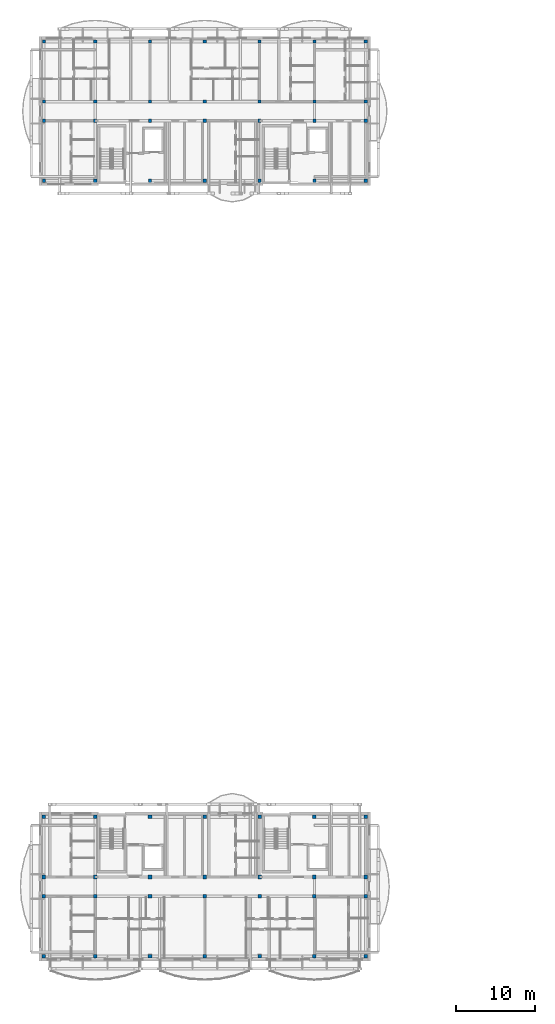
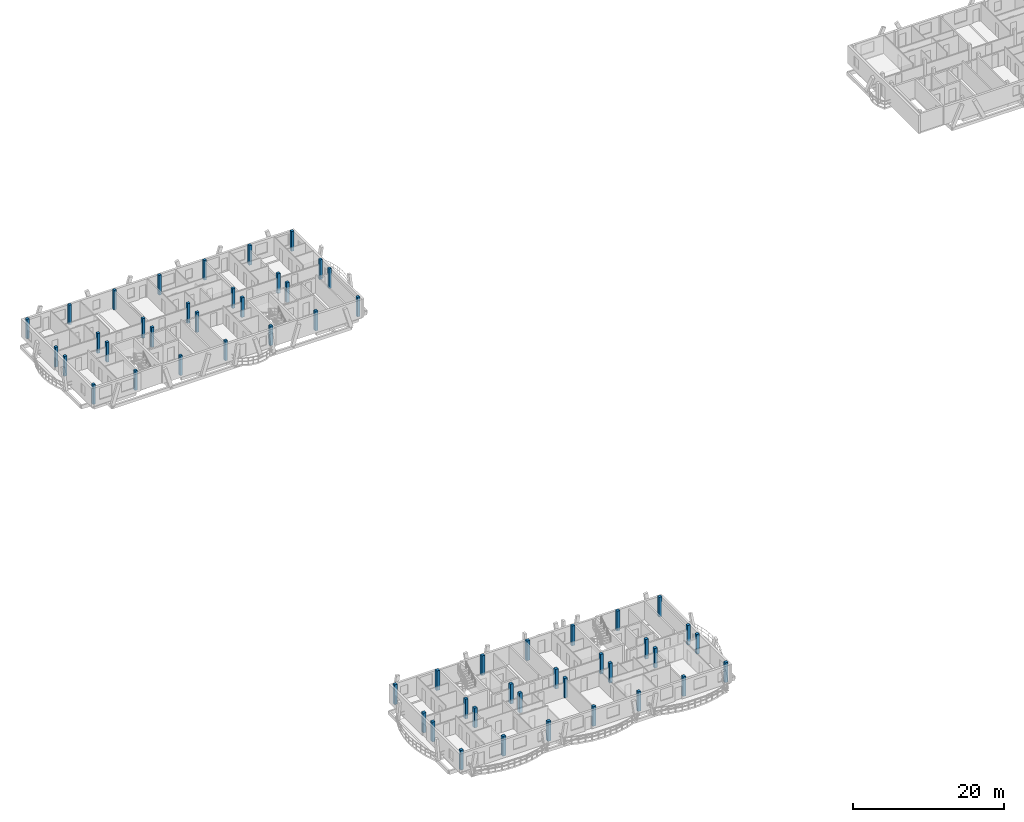
# One storey, part 1 of 29: 56 columns.
"""IFC4 building model written with IfcOpenShell, lengths in metres."""

from ifc_helpers import new_model, si_unit, direction, frame, origin, origin_2d, place, context, subcontext, project, spatial, rectangle, extrude, material, material_profile, profile_set, type_object, element, save


model = new_model("IFC4")

# Units and contexts
model_context = context("Model", 3, precision=1e-05, world=origin(), true_north=direction((0.0, 1.0)))
body_context = subcontext(model_context, "Body", "Model", "MODEL_VIEW")
ifc_project = project(units=[si_unit("LENGTHUNIT", "METRE"), si_unit("AREAUNIT", "SQUARE_METRE"), si_unit("VOLUMEUNIT", "CUBIC_METRE"), si_unit("PLANEANGLEUNIT", "RADIAN"), si_unit("MASSUNIT", "GRAM", prefix="KILO")], contexts=[model_context])

# Site, building, storey
site_placement = place(None, origin())
site = spatial("IfcSite", under=ifc_project, at=site_placement, CompositionType="ELEMENT")
building_placement = place(site_placement, origin())
building = spatial("IfcBuilding", under=site, at=building_placement, Name="Zavelmont Quarter", CompositionType="ELEMENT")
storey_placement = place(building_placement, frame((0.0, 0.0, 33.60009765625)))
storey = spatial("IfcBuildingStorey", under=building, at=storey_placement, Name="L10", CompositionType="ELEMENT", Elevation=33.60009765625)

# Columns
ifc_material = material(Name="Concrete C35/45", Category="concrete")
ifc_material_profile_1 = material_profile(ifc_material, rectangle(XDim=0.449951171875, YDim=0.449951171875, at=origin_2d()), Name="RC450X450")
ifc_profile_set_1 = profile_set([ifc_material_profile_1], Name="Concrete C35/45")
column_type_1 = type_object("IfcColumnType", Name="CL04", PredefinedType="COLUMN", material=ifc_profile_set_1)
for number, where, z_axis, x_axis, name in (
    (1, (0.43994140625, 0.43994140625, 0.0), (0.0, 0.0, 1.0), (1.0, 0.0, 0.0), "L10 column CL04 at 1/A"),
    (2, (0.43994140625, 8.0, 0.0), (0.0, 0.0, 1.0), (1.0, 0.0, 0.0), "L10 column CL04 at 1/B"),
    (3, (0.43994140625, 10.39990234375, 0.0), (0.0, 0.0, 1.0), (1.0, 0.0, 0.0), "L10 column CL04 at 1/C"),
    (4, (0.43994140625, 17.9599609375, 0.0), (0.0, 0.0, 1.0), (1.0, 0.0, 0.0), "L10 column CL04 at 1/D"),
    (5, (6.89990234375, 0.43994140625, 0.0), (0.0, 0.0, 1.0), (1.0, 0.0, 0.0), "L10 column CL04 at 2/A"),
    (6, (6.89990234375, 8.0, 0.0), (0.0, 0.0, 1.0), (1.0, 0.0, 0.0), "L10 column CL04 at 2/B"),
    (7, (6.89990234375, 10.39990234375, 0.0), (0.0, 0.0, 1.0), (1.0, 0.0, 0.0), "L10 column CL04 at 2/C"),
    (8, (6.89990234375, 17.9599609375, 0.0), (0.0, 0.0, 1.0), (1.0, 0.0, 0.0), "L10 column CL04 at 2/D"),
    (9, (13.800048828125, 0.43994140625, 0.0), (0.0, 0.0, 1.0), (1.0, 0.0, 0.0), "L10 column CL04 at 3/A"),
    (10, (13.800048828125, 8.0, 0.0), (0.0, 0.0, 1.0), (1.0, 0.0, 0.0), "L10 column CL04 at 3/B"),
    (11, (13.800048828125, 10.39990234375, 0.0), (0.0, 0.0, 1.0), (1.0, 0.0, 0.0), "L10 column CL04 at 3/C"),
    (12, (13.800048828125, 17.9599609375, 0.0), (0.0, 0.0, 1.0), (1.0, 0.0, 0.0), "L10 column CL04 at 3/D"),
    (13, (20.699951171875, 0.43994140625, 0.0), (0.0, 0.0, 1.0), (1.0, 0.0, 0.0), "L10 column CL04 at 4/A"),
    (14, (20.699951171875, 8.0, 0.0), (0.0, 0.0, 1.0), (1.0, 0.0, 0.0), "L10 column CL04 at 4/B"),
    (15, (20.699951171875, 10.39990234375, 0.0), (0.0, 0.0, 1.0), (1.0, 0.0, 0.0), "L10 column CL04 at 4/C"),
    (16, (20.699951171875, 17.9599609375, 0.0), (0.0, 0.0, 1.0), (1.0, 0.0, 0.0), "L10 column CL04 at 4/D"),
    (17, (27.60009765625, 0.43994140625, 0.0), (0.0, 0.0, 1.0), (1.0, 0.0, 0.0), "L10 column CL04 at 5/A"),
    (18, (27.60009765625, 8.0, 0.0), (0.0, 0.0, 1.0), (1.0, 0.0, 0.0), "L10 column CL04 at 5/B"),
    (19, (27.60009765625, 10.39990234375, 0.0), (0.0, 0.0, 1.0), (1.0, 0.0, 0.0), "L10 column CL04 at 5/C"),
    (20, (27.60009765625, 17.9599609375, 0.0), (0.0, 0.0, 1.0), (1.0, 0.0, 0.0), "L10 column CL04 at 5/D"),
    (21, (34.5, 0.43994140625, 0.0), (0.0, 0.0, 1.0), (1.0, 0.0, 0.0), "L10 column CL04 at 6/A"),
    (22, (34.5, 8.0, 0.0), (0.0, 0.0, 1.0), (1.0, 0.0, 0.0), "L10 column CL04 at 6/B"),
    (23, (34.5, 10.39990234375, 0.0), (0.0, 0.0, 1.0), (1.0, 0.0, 0.0), "L10 column CL04 at 6/C"),
    (24, (34.5, 17.9599609375, 0.0), (0.0, 0.0, 1.0), (1.0, 0.0, 0.0), "L10 column CL04 at 6/D"),
    (25, (40.9599609375, 0.43994140625, 0.0), (0.0, 0.0, 1.0), (1.0, 0.0, 0.0), "L10 column CL04 at 7/A"),
    (26, (40.9599609375, 8.0, 0.0), (0.0, 0.0, 1.0), (1.0, 0.0, 0.0), "L10 column CL04 at 7/B"),
    (27, (40.9599609375, 10.39990234375, 0.0), (0.0, 0.0, 1.0), (1.0, 0.0, 0.0), "L10 column CL04 at 7/C"),
    (28, (40.9599609375, 17.9599609375, 0.0), (0.0, 0.0, 1.0), (1.0, 0.0, 0.0), "L10 column CL04 at 7/D"),
):
    element("IfcColumn", number, at=place(storey_placement, frame(where, z_axis=z_axis, x_axis=x_axis)), inside=storey, type_object=column_type_1, Name=name, PredefinedType="COLUMN", context=body_context, shape_type="SweptSolid", body=[
        extrude(rectangle(XDim=0.449951171875, YDim=0.449951171875, at=origin_2d()), origin(), (0.0, 0.0, 1.0), 3.199951171875),
    ])
ifc_material_profile_2 = material_profile(ifc_material, rectangle(XDim=0.39990234375, YDim=0.39990234375, at=origin_2d()), Name="RC400X400")
ifc_profile_set_2 = profile_set([ifc_material_profile_2], Name="Concrete C35/45")
column_type_2 = type_object("IfcColumnType", Name="CL05", PredefinedType="COLUMN", material=ifc_profile_set_2)
for number, where, z_axis, x_axis, name in (
    (29, (0.43994140625, 98.0400390625, 0.0), (0.0, 0.0, 1.0), (1.0, 0.0, 0.0), "L10 column CL05 at 1/P"),
    (30, (0.43994140625, 105.60009765625, 0.0), (0.0, 0.0, 1.0), (1.0, 0.0, 0.0), "L10 column CL05 at 1/Q"),
    (31, (0.43994140625, 108.0, 0.0), (0.0, 0.0, 1.0), (1.0, 0.0, 0.0), "L10 column CL05 at 1/R"),
    (32, (0.43994140625, 115.56005859375, 0.0), (0.0, 0.0, 1.0), (1.0, 0.0, 0.0), "L10 column CL05 at 1/S"),
    (33, (6.89990234375, 98.0400390625, 0.0), (0.0, 0.0, 1.0), (1.0, 0.0, 0.0), "L10 column CL05 at 2/P"),
    (34, (6.89990234375, 105.60009765625, 0.0), (0.0, 0.0, 1.0), (1.0, 0.0, 0.0), "L10 column CL05 at 2/Q"),
    (35, (6.89990234375, 108.0, 0.0), (0.0, 0.0, 1.0), (1.0, 0.0, 0.0), "L10 column CL05 at 2/R"),
    (36, (6.89990234375, 115.56005859375, 0.0), (0.0, 0.0, 1.0), (1.0, 0.0, 0.0), "L10 column CL05 at 2/S"),
    (37, (13.800048828125, 98.0400390625, 0.0), (0.0, 0.0, 1.0), (1.0, 0.0, 0.0), "L10 column CL05 at 3/P"),
    (38, (13.800048828125, 105.60009765625, 0.0), (0.0, 0.0, 1.0), (1.0, 0.0, 0.0), "L10 column CL05 at 3/Q"),
    (39, (13.800048828125, 108.0, 0.0), (0.0, 0.0, 1.0), (1.0, 0.0, 0.0), "L10 column CL05 at 3/R"),
    (40, (13.800048828125, 115.56005859375, 0.0), (0.0, 0.0, 1.0), (1.0, 0.0, 0.0), "L10 column CL05 at 3/S"),
    (41, (20.699951171875, 98.0400390625, 0.0), (0.0, 0.0, 1.0), (1.0, 0.0, 0.0), "L10 column CL05 at 4/P"),
    (42, (20.699951171875, 105.60009765625, 0.0), (0.0, 0.0, 1.0), (1.0, 0.0, 0.0), "L10 column CL05 at 4/Q"),
    (43, (20.699951171875, 108.0, 0.0), (0.0, 0.0, 1.0), (1.0, 0.0, 0.0), "L10 column CL05 at 4/R"),
    (44, (20.699951171875, 115.56005859375, 0.0), (0.0, 0.0, 1.0), (1.0, 0.0, 0.0), "L10 column CL05 at 4/S"),
    (45, (27.60009765625, 98.0400390625, 0.0), (0.0, 0.0, 1.0), (1.0, 0.0, 0.0), "L10 column CL05 at 5/P"),
    (46, (27.60009765625, 105.60009765625, 0.0), (0.0, 0.0, 1.0), (1.0, 0.0, 0.0), "L10 column CL05 at 5/Q"),
    (47, (27.60009765625, 108.0, 0.0), (0.0, 0.0, 1.0), (1.0, 0.0, 0.0), "L10 column CL05 at 5/R"),
    (48, (27.60009765625, 115.56005859375, 0.0), (0.0, 0.0, 1.0), (1.0, 0.0, 0.0), "L10 column CL05 at 5/S"),
    (49, (34.5, 98.0400390625, 0.0), (0.0, 0.0, 1.0), (1.0, 0.0, 0.0), "L10 column CL05 at 6/P"),
    (50, (34.5, 105.60009765625, 0.0), (0.0, 0.0, 1.0), (1.0, 0.0, 0.0), "L10 column CL05 at 6/Q"),
    (51, (34.5, 108.0, 0.0), (0.0, 0.0, 1.0), (1.0, 0.0, 0.0), "L10 column CL05 at 6/R"),
    (52, (34.5, 115.56005859375, 0.0), (0.0, 0.0, 1.0), (1.0, 0.0, 0.0), "L10 column CL05 at 6/S"),
    (53, (40.9599609375, 98.0400390625, 0.0), (0.0, 0.0, 1.0), (1.0, 0.0, 0.0), "L10 column CL05 at 7/P"),
    (54, (40.9599609375, 105.60009765625, 0.0), (0.0, 0.0, 1.0), (1.0, 0.0, 0.0), "L10 column CL05 at 7/Q"),
    (55, (40.9599609375, 108.0, 0.0), (0.0, 0.0, 1.0), (1.0, 0.0, 0.0), "L10 column CL05 at 7/R"),
    (56, (40.9599609375, 115.56005859375, 0.0), (0.0, 0.0, 1.0), (1.0, 0.0, 0.0), "L10 column CL05 at 7/S"),
):
    element("IfcColumn", number, at=place(storey_placement, frame(where, z_axis=z_axis, x_axis=x_axis)), inside=storey, type_object=column_type_2, Name=name, PredefinedType="COLUMN", context=body_context, shape_type="SweptSolid", body=[
        extrude(rectangle(XDim=0.39990234375, YDim=0.39990234375, at=origin_2d()), origin(), (0.0, 0.0, 1.0), 3.199951171875),
    ])

save(model, "model.ifc")
